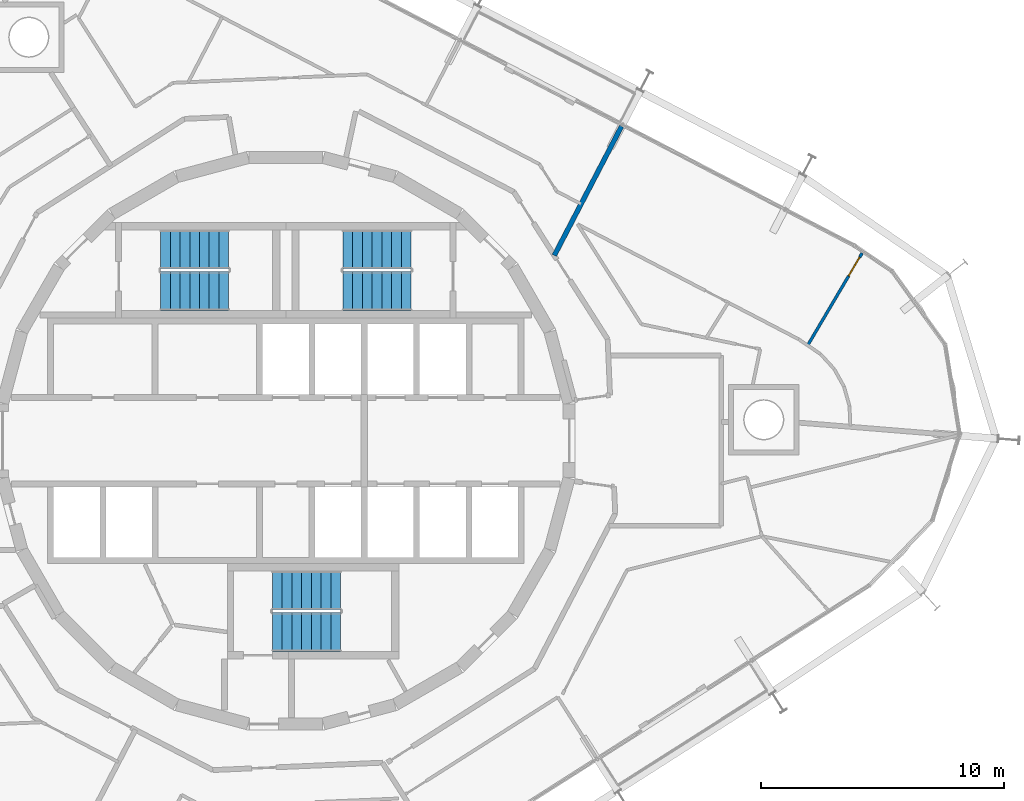
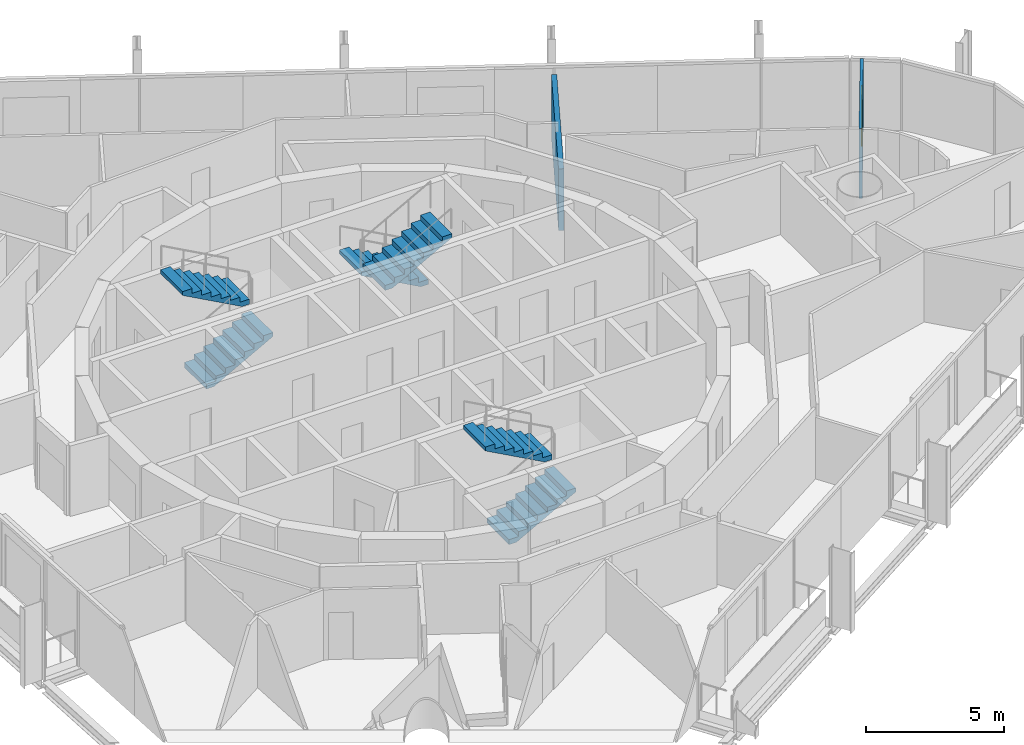
# One storey, part 17 of 18: 6 stair flights, 2 walls, 1 door, 1 opening, 3 elements without a shape of their own.
"""IFC4 building model written with IfcOpenShell, lengths in metres."""

from ifc_helpers import new_model, si_unit, direction, frame, frame_2d, origin, place, context, subcontext, project, spatial, polyline, rectangle, outline, extrude, material, layer, layer_set, type_object, element, fill, aggregate, save


model = new_model("IFC4")

# Units and contexts
model_context = context("Model", 3, precision=1e-05, world=origin(), true_north=direction((0.0, 1.0)))
body_context = subcontext(model_context, "Body", "Model", "MODEL_VIEW")
ifc_project = project(units=[si_unit("LENGTHUNIT", "METRE"), si_unit("AREAUNIT", "SQUARE_METRE"), si_unit("VOLUMEUNIT", "CUBIC_METRE"), si_unit("PLANEANGLEUNIT", "RADIAN"), si_unit("MASSUNIT", "GRAM", prefix="KILO")], contexts=[model_context])

# Site, building, storey
site_placement = place(None, origin())
site = spatial("IfcSite", under=ifc_project, at=site_placement, CompositionType="ELEMENT")
building_placement = place(site_placement, origin())
building = spatial("IfcBuilding", under=site, at=building_placement, Name="Spindle Arch Residences", CompositionType="ELEMENT")
storey_placement = place(building_placement, frame((0.0, 0.0, 233.699951171875)))
storey = spatial("IfcBuildingStorey", under=building, at=storey_placement, Name="L59", CompositionType="ELEMENT", Elevation=233.699951171875)

# Wall, opening, door
ifc_material_1 = material(Name="Plasterboard on steel studs", Category="steel")
ifc_layer_1 = layer(ifc_material_1, 0.1201171875)
ifc_layer_set_1 = layer_set([ifc_layer_1], Name="Flat partition 120")
wall_type_1 = type_object("IfcWallType", Name="Flat partition 120", PredefinedType="PARTITIONING", material=ifc_layer_set_1)
wall_1_placement = place(storey_placement, frame((23.6962890625, 7.715087890625, 0.0), z_axis=(0.0, 0.0, 1.0), x_axis=(-0.508219920645, -0.861227329025, 0.0)))
wall_1 = element("IfcWall", 1, at=wall_1_placement, inside=storey, type_object=wall_type_1, Name="Flat partition R6A0-W049", PredefinedType="PARTITIONING", context=body_context, shape_type="SweptSolid", body=[
    extrude(rectangle(XDim=4.408935546875, YDim=0.1201171875, at=frame_2d((2.20458984375, 0.0))), origin(), (0.0, 0.0, 1.0), 3.1201171875),
])
opening_placement = place(wall_1_placement, frame((0.199951171875, 0.0, 0.0)))
opening = element("IfcOpeningElement", 2, at=opening_placement, cuts=wall_1, Name="Opening R6A0-ID03", PredefinedType="OPENING", context=body_context, shape_type="SweptSolid", body=[
    extrude(rectangle(XDim=0.89990234375, YDim=2.10009765625, at=frame_2d((0.449951171875, 1.050048828125))), frame((0.0, 0.070068359375, 0.0), z_axis=(0.0, -1.0, 0.0), x_axis=(1.0, 0.0, 0.0)), (0.0, 0.0, 1.0), 0.14013671875),
])
ifc_material_2 = material(Name="Timber door set", Category="wood")
door_type = type_object("IfcDoorType", Name="Room door 900x2100", OperationType="NOTDEFINED", PredefinedType="DOOR", material=ifc_material_2)
door_placement = place(opening_placement, origin())
door = element("IfcDoor", 3, at=door_placement, inside=storey, type_object=door_type, Name="Room door R6A0-ID03", OperationType="SINGLE_SWING_LEFT", OverallHeight=2.10009765625, OverallWidth=0.89990234375, PredefinedType="DOOR", context=body_context, shape_type="SweptSolid", body=[
    extrude(rectangle(XDim=0.89990234375, YDim=2.10009765625, at=frame_2d((0.449951171875, 1.050048828125))), frame((0.0, 0.02490234375, 0.0), z_axis=(0.0, -1.0, 0.0), x_axis=(1.0, 0.0, 0.0)), (0.0, 0.0, 1.0), 0.050048828125),
])
fill(opening, door)

# Wall
ifc_material_3 = material(Name="Calcium silicate block, plastered")
ifc_layer_2 = layer(ifc_material_3, 0.199951171875)
ifc_layer_set_2 = layer_set([ifc_layer_2], Name="Flat party wall 200 under beam 2730")
wall_type_2 = type_object("IfcWallType", Name="Flat party wall 200 under beam 2730", PredefinedType="STANDARD", material=ifc_layer_set_2)
wall_2_placement = place(storey_placement, frame((13.801025390625, 12.921875, 0.0), z_axis=(0.0, 0.0, 1.0), x_axis=(-0.461726485624, -0.887022351733, 0.0)))
element("IfcWall", 4, at=wall_2_placement, inside=storey, type_object=wall_type_2, Name="Flat party wall R6A0-W029", PredefinedType="STANDARD", context=body_context, shape_type="SweptSolid", body=[
    extrude(rectangle(XDim=5.984375, YDim=0.199951171875, at=frame_2d((2.9921875, 0.0))), origin(), (0.0, 0.0, 1.0), 2.72998046875),
])

# Stair, stair flights
ifc_material_4 = material(Name="Concrete C50/60", Category="concrete")
stair_type = type_object("IfcStairType", Name="Exit stair 16 risers", PredefinedType="HALF_TURN_STAIR", material=ifc_material_4)
stair_1_placement = place(storey_placement, origin())
stair_1 = element("IfcStair", 5, at=stair_1_placement, inside=storey, type_object=stair_type, Name="L59 Exit stair ST1", PredefinedType="HALF_TURN_STAIR")
ifc_material_5 = material(Name="Concrete C50/60", Category="concrete")
stair_flight_type = type_object("IfcStairFlightType", Name="Exit stair flight", PredefinedType="STRAIGHT", material=ifc_material_5)
stair_flight_1_placement = place(storey_placement, frame((5.14990234375, 7.8701171875, 0.0), z_axis=(0.0, 0.0, 1.0), x_axis=(-1.0, 0.0, 0.0)))
stair_flight_1 = element("IfcStairFlight", 6, at=stair_flight_1_placement, type_object=stair_flight_type, Name="ST1 flight 1", NumberOfRisers=8, NumberOfTreads=7, PredefinedType="STRAIGHT", RiserHeight=0.21875, TreadLength=0.4, context=body_context, shape_type="SweptSolid", body=[
    extrude(outline(polyline([(0.0, 0.0), (0.0, 0.21875), (0.39990234375, 0.21875), (0.39990234375, 0.4375), (0.800048828125, 0.4375), (0.800048828125, 0.65625), (1.199951171875, 0.65625), (1.199951171875, 0.875), (1.60009765625, 0.875), (1.60009765625, 1.09375), (2.0, 1.09375), (2.0, 1.3125), (2.39990234375, 1.3125), (2.39990234375, 1.53125), (2.800048828125, 1.53125), (2.800048828125, 1.75), (2.800048828125, 1.3603515625), (0.3125, 0.0), (0.0, 0.0)])), frame((0.0, 0.800048828125, 0.0), z_axis=(0.0, -1.0, 0.0), x_axis=(1.0, 0.0, 0.0)), (0.0, 0.0, 1.0), 1.60009765625),
])
stair_flight_2_placement = place(storey_placement, frame((2.35009765625, 6.14990234375, 1.75), z_axis=(0.0, 0.0, 1.0), x_axis=(1.0, 0.0, 0.0)))
stair_flight_2 = element("IfcStairFlight", 7, at=stair_flight_2_placement, type_object=stair_flight_type, Name="ST1 flight 2", NumberOfRisers=8, NumberOfTreads=7, PredefinedType="STRAIGHT", RiserHeight=0.21875, TreadLength=0.4, context=body_context, shape_type="SweptSolid", body=[
    extrude(outline(polyline([(0.0, 0.0), (0.0, 0.21875), (0.39990234375, 0.21875), (0.39990234375, 0.4375), (0.800048828125, 0.4375), (0.800048828125, 0.65625), (1.199951171875, 0.65625), (1.199951171875, 0.875), (1.60009765625, 0.875), (1.60009765625, 1.09375), (2.0, 1.09375), (2.0, 1.3125), (2.39990234375, 1.3125), (2.39990234375, 1.53125), (2.800048828125, 1.53125), (2.800048828125, 1.75), (2.800048828125, 1.3603515625), (0.3125, 0.0), (0.0, 0.0)])), frame((0.0, 0.800048828125, 0.0), z_axis=(0.0, -1.0, 0.0), x_axis=(1.0, 0.0, 0.0)), (0.0, 0.0, 1.0), 1.60009765625),
])
aggregate(stair_1, [stair_flight_1, stair_flight_2])

stair_2_placement = place(storey_placement, origin())
stair_2 = element("IfcStair", 8, at=stair_2_placement, inside=storey, type_object=stair_type, Name="L59 Exit stair ST2", PredefinedType="HALF_TURN_STAIR")
stair_flight_3_placement = place(storey_placement, frame((-5.14990234375, 6.14990234375, 0.0), z_axis=(0.0, 0.0, 1.0), x_axis=(1.0, 0.0, 0.0)))
stair_flight_3 = element("IfcStairFlight", 9, at=stair_flight_3_placement, type_object=stair_flight_type, Name="ST2 flight 1", NumberOfRisers=8, NumberOfTreads=7, PredefinedType="STRAIGHT", RiserHeight=0.21875, TreadLength=0.4, context=body_context, shape_type="SweptSolid", body=[
    extrude(outline(polyline([(0.0, 0.0), (0.0, 0.21875), (0.39990234375, 0.21875), (0.39990234375, 0.4375), (0.800048828125, 0.4375), (0.800048828125, 0.65625), (1.199951171875, 0.65625), (1.199951171875, 0.875), (1.60009765625, 0.875), (1.60009765625, 1.09375), (2.0, 1.09375), (2.0, 1.3125), (2.39990234375, 1.3125), (2.39990234375, 1.53125), (2.800048828125, 1.53125), (2.800048828125, 1.75), (2.800048828125, 1.3603515625), (0.3125, 0.0), (0.0, 0.0)])), frame((0.0, 0.800048828125, 0.0), z_axis=(0.0, -1.0, 0.0), x_axis=(1.0, 0.0, 0.0)), (0.0, 0.0, 1.0), 1.60009765625),
])
stair_flight_4_placement = place(storey_placement, frame((-2.35009765625, 7.8701171875, 1.75), z_axis=(0.0, 0.0, 1.0), x_axis=(-1.0, 0.0, 0.0)))
stair_flight_4 = element("IfcStairFlight", 10, at=stair_flight_4_placement, type_object=stair_flight_type, Name="ST2 flight 2", NumberOfRisers=8, NumberOfTreads=7, PredefinedType="STRAIGHT", RiserHeight=0.21875, TreadLength=0.4, context=body_context, shape_type="SweptSolid", body=[
    extrude(outline(polyline([(0.0, 0.0), (0.0, 0.21875), (0.39990234375, 0.21875), (0.39990234375, 0.4375), (0.800048828125, 0.4375), (0.800048828125, 0.65625), (1.199951171875, 0.65625), (1.199951171875, 0.875), (1.60009765625, 0.875), (1.60009765625, 1.09375), (2.0, 1.09375), (2.0, 1.3125), (2.39990234375, 1.3125), (2.39990234375, 1.53125), (2.800048828125, 1.53125), (2.800048828125, 1.75), (2.800048828125, 1.3603515625), (0.3125, 0.0), (0.0, 0.0)])), frame((0.0, 0.800048828125, 0.0), z_axis=(0.0, -1.0, 0.0), x_axis=(1.0, 0.0, 0.0)), (0.0, 0.0, 1.0), 1.60009765625),
])
aggregate(stair_2, [stair_flight_3, stair_flight_4])

stair_3_placement = place(storey_placement, origin())
stair_3 = element("IfcStair", 11, at=stair_3_placement, inside=storey, type_object=stair_type, Name="L59 Exit stair ST3", PredefinedType="HALF_TURN_STAIR")
stair_flight_5_placement = place(storey_placement, frame((-0.550048828125, -7.8701171875, 0.0), z_axis=(0.0, 0.0, 1.0), x_axis=(1.0, 0.0, 0.0)))
stair_flight_5 = element("IfcStairFlight", 12, at=stair_flight_5_placement, type_object=stair_flight_type, Name="ST3 flight 1", NumberOfRisers=8, NumberOfTreads=7, PredefinedType="STRAIGHT", RiserHeight=0.21875, TreadLength=0.4, context=body_context, shape_type="SweptSolid", body=[
    extrude(outline(polyline([(0.0, 0.0), (0.0, 0.21875), (0.39990234375, 0.21875), (0.39990234375, 0.4375), (0.800048828125, 0.4375), (0.800048828125, 0.65625), (1.199951171875, 0.65625), (1.199951171875, 0.875), (1.60009765625, 0.875), (1.60009765625, 1.09375), (2.0, 1.09375), (2.0, 1.3125), (2.39990234375, 1.3125), (2.39990234375, 1.53125), (2.800048828125, 1.53125), (2.800048828125, 1.75), (2.800048828125, 1.3603515625), (0.3125, 0.0), (0.0, 0.0)])), frame((0.0, 0.800048828125, 0.0), z_axis=(0.0, -1.0, 0.0), x_axis=(1.0, 0.0, 0.0)), (0.0, 0.0, 1.0), 1.60009765625),
])
stair_flight_6_placement = place(storey_placement, frame((2.25, -6.14990234375, 1.75), z_axis=(0.0, 0.0, 1.0), x_axis=(-1.0, 0.0, 0.0)))
stair_flight_6 = element("IfcStairFlight", 13, at=stair_flight_6_placement, type_object=stair_flight_type, Name="ST3 flight 2", NumberOfRisers=8, NumberOfTreads=7, PredefinedType="STRAIGHT", RiserHeight=0.21875, TreadLength=0.4, context=body_context, shape_type="SweptSolid", body=[
    extrude(outline(polyline([(0.0, 0.0), (0.0, 0.21875), (0.39990234375, 0.21875), (0.39990234375, 0.4375), (0.800048828125, 0.4375), (0.800048828125, 0.65625), (1.199951171875, 0.65625), (1.199951171875, 0.875), (1.60009765625, 0.875), (1.60009765625, 1.09375), (2.0, 1.09375), (2.0, 1.3125), (2.39990234375, 1.3125), (2.39990234375, 1.53125), (2.800048828125, 1.53125), (2.800048828125, 1.75), (2.800048828125, 1.3603515625), (0.3125, 0.0), (0.0, 0.0)])), frame((0.0, 0.800048828125, 0.0), z_axis=(0.0, -1.0, 0.0), x_axis=(1.0, 0.0, 0.0)), (0.0, 0.0, 1.0), 1.60009765625),
])
aggregate(stair_3, [stair_flight_5, stair_flight_6])

save(model, "model.ifc")
